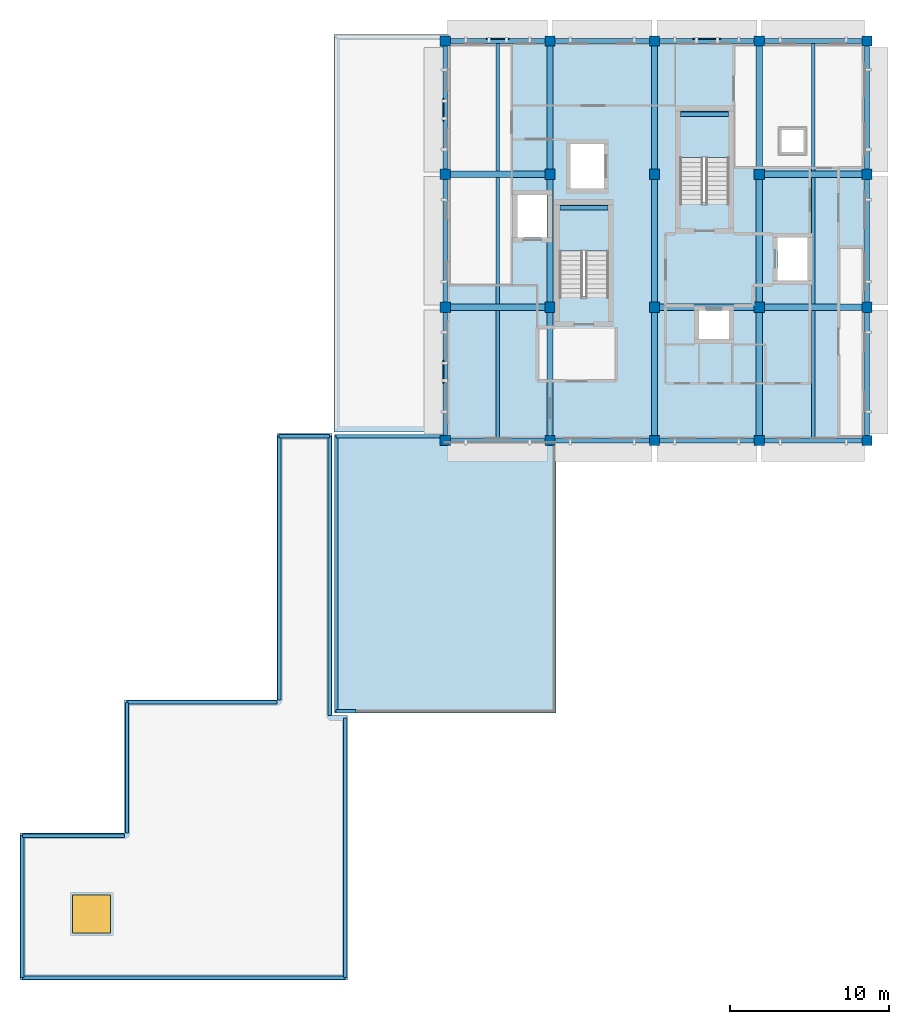
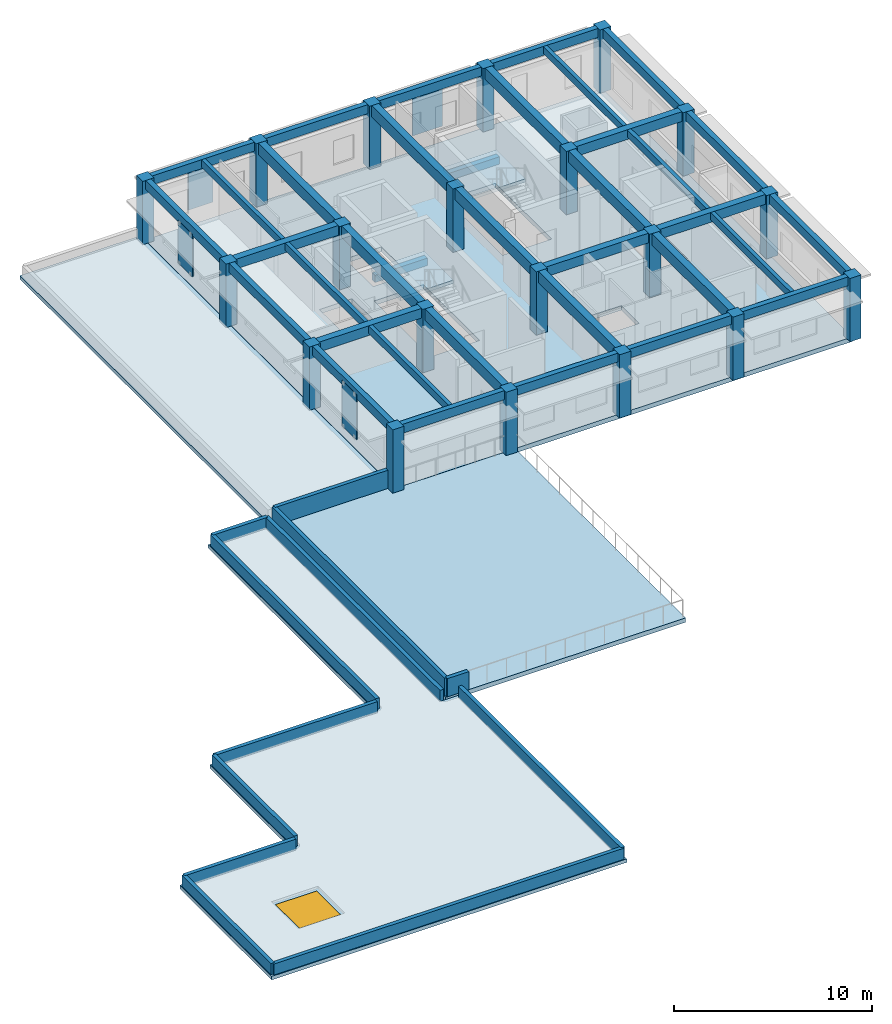
# One storey, part 1 of 7: 36 beams, 20 columns, 12 walls, 6 slabs, 4 plates, 1 window, 1 opening, 2 elements without a shape of their own.
"""IFC4 building model written with IfcOpenShell, lengths in metres."""

import ifcopenshell
import ifcopenshell.guid

model = None  # the IFC model being written
_history = None  # IfcOwnerHistory: only IFC2X3 demands one
_inside = {}  # id of a spatial element -> (the spatial element, [elements in it])
_under = {}  # id of a project, library or spatial element -> (it, [spatial elements below it])
_declared = {}  # id of a project -> (the project, [libraries it declares])
_typed = {}  # id of a type object -> (the type object, [elements of that type])
_made_of = {}  # id of a material, layer set ... -> (it, [elements and type objects made of it])


def new_model(schema):
    """Start an empty IFC model of exactly this schema.

    Asked for "IFC4X3", IfcOpenShell would pick the latest addendum, in which some entities
    have other attributes; the version numbers below select the first issue.
    IFC2X3 requires an IfcOwnerHistory on every rooted entity: one is made here for all.
    """
    global model, _history
    if schema == "IFC4X3":
        model = ifcopenshell.file(schema_version=(4, 3, 0, 0))
    else:
        model = ifcopenshell.file(schema=schema)
    _inside.clear()
    _under.clear()
    _declared.clear()
    _typed.clear()
    _made_of.clear()
    _history = None
    if model.schema == "IFC2X3":
        org = make("IfcOrganization", Name="unknown")
        user = make(
            "IfcPersonAndOrganization",
            ThePerson=make("IfcPerson", FamilyName="unknown"),
            TheOrganization=org,
        )
        app = make(
            "IfcApplication",
            ApplicationDeveloper=org,
            Version="unknown",
            ApplicationFullName="unknown",
            ApplicationIdentifier="unknown",
        )
        _history = make(
            "IfcOwnerHistory",
            OwningUser=user,
            OwningApplication=app,
            ChangeAction="ADDED",
            CreationDate=0,
        )
    return model


def make(cls, **values):
    """One entity of the class cls with the attributes given. An attribute that is None is left unset."""
    return model.create_entity(
        cls, **{name: value for name, value in values.items() if value is not None}
    )


def rooted(cls, **values):
    """An entity with a GlobalId (a new one), such as an element, a storey or a relation."""
    return make(cls, GlobalId=ifcopenshell.guid.new(), OwnerHistory=_history, **values)


def si_unit(unit_type, name, prefix=None):
    """IfcSIUnit, for example si_unit("LENGTHUNIT", "METRE", prefix="MILLI")."""
    return make("IfcSIUnit", UnitType=unit_type, Prefix=prefix, Name=name)


def assignment(units):
    """IfcUnitAssignment: the units of a project."""
    return None if units is None else make("IfcUnitAssignment", Units=units)


def point(xyz):
    """IfcCartesianPoint."""
    return None if xyz is None else make("IfcCartesianPoint", Coordinates=xyz)


def direction(xyz):
    """IfcDirection."""
    return None if xyz is None else make("IfcDirection", DirectionRatios=xyz)


def frame(location, z_axis=None, x_axis=None):
    """IfcAxis2Placement3D, a coordinate frame: its origin and axes. An axis left out is left unset."""
    return make(
        "IfcAxis2Placement3D",
        Location=point(location),
        Axis=direction(z_axis),
        RefDirection=direction(x_axis),
    )


def frame_2d(location, x_axis=None):
    """IfcAxis2Placement2D, a coordinate frame in the plane: its origin and x axis."""
    return make(
        "IfcAxis2Placement2D", Location=point(location), RefDirection=direction(x_axis)
    )


def origin():
    """The frame at (0, 0, 0) with its axes left unset."""
    return frame((0.0, 0.0, 0.0))


def origin_2d():
    """The frame at (0, 0) in the plane with its x axis left unset."""
    return frame_2d((0.0, 0.0))


def place(relative_to, where):
    """IfcLocalPlacement: puts the frame where relative to a parent placement (None: the world)."""
    return make(
        "IfcLocalPlacement", PlacementRelTo=relative_to, RelativePlacement=where
    )


def context(
    kind, dimensions, precision=None, world=None, true_north=None, identifier=None
):
    """IfcGeometricRepresentationContext, for example the 3D "Model" context."""
    return make(
        "IfcGeometricRepresentationContext",
        ContextIdentifier=identifier,
        ContextType=kind,
        CoordinateSpaceDimension=dimensions,
        Precision=precision,
        WorldCoordinateSystem=world,
        TrueNorth=true_north,
    )


def subcontext(parent, identifier, kind, view, scale=None):
    """IfcGeometricRepresentationSubContext, for example "Body" below "Model"."""
    return make(
        "IfcGeometricRepresentationSubContext",
        ContextIdentifier=identifier,
        ContextType=kind,
        ParentContext=parent,
        TargetScale=scale,
        TargetView=view,
    )


def project(units=None, contexts=None):
    """IfcProject with its units and contexts."""
    return rooted(
        "IfcProject",
        Name="project",
        RepresentationContexts=contexts,
        UnitsInContext=assignment(units),
    )


def spatial(cls, under=None, at=None, **own):
    """A site, building, storey or space (cls), placed at a placement, below another one or the project."""
    s = rooted(cls, ObjectPlacement=at, **own)
    if under is not None:
        _under.setdefault(under.id(), (under, []))[1].append(s)
    return s


def polyline(points):
    """IfcPolyline through the points."""
    return make("IfcPolyline", Points=[point(p) for p in points])


def profile(cls, at=None, kind="AREA", **sizes):
    """A parametric profile (cls). Its sizes go by their IFC names, for example OverallWidth=200.0."""
    return make(cls, ProfileType=kind, Position=at, **sizes)


def rectangle(**sizes):
    """IfcRectangleProfileDef."""
    return profile("IfcRectangleProfileDef", **sizes)


def outline(outer, holes=None, kind="AREA"):
    """IfcArbitraryClosedProfileDef: a profile drawn as a closed curve; with holes, ...WithVoids."""
    if holes is None:
        return make("IfcArbitraryClosedProfileDef", ProfileType=kind, OuterCurve=outer)
    return make(
        "IfcArbitraryProfileDefWithVoids",
        ProfileType=kind,
        OuterCurve=outer,
        InnerCurves=holes,
    )


def extrude(swept, where, along, depth):
    """IfcExtrudedAreaSolid: the profile swept, set in the frame where, extruded along a direction by depth."""
    return make(
        "IfcExtrudedAreaSolid",
        SweptArea=swept,
        Position=where,
        ExtrudedDirection=direction(along),
        Depth=depth,
    )


def shape(context_of_items, identifier, shape_type, items):
    """IfcShapeRepresentation: the items that make up one representation, for example the "Body"."""
    return make(
        "IfcShapeRepresentation",
        ContextOfItems=context_of_items,
        RepresentationIdentifier=identifier,
        RepresentationType=shape_type,
        Items=items,
    )


def material(Name=None, Category=None):
    """IfcMaterial."""
    return make("IfcMaterial", Name=Name, Category=Category)


def layer(
    of_material, thickness, ventilated=None, Name=None, Category=None, Priority=None
):
    """IfcMaterialLayer: one layer of a wall or slab, of a material (None: an air gap)."""
    return make(
        "IfcMaterialLayer",
        Material=of_material,
        LayerThickness=thickness,
        IsVentilated=ventilated,
        Name=Name,
        Category=Category,
        Priority=Priority,
    )


def layer_set(layers, Name=None):
    """IfcMaterialLayerSet."""
    return make("IfcMaterialLayerSet", MaterialLayers=layers, LayerSetName=Name)


def material_profile(
    of_material, cross_section, Name=None, Category=None, Priority=None
):
    """IfcMaterialProfile: a cross section and its material."""
    return make(
        "IfcMaterialProfile",
        Name=Name,
        Material=of_material,
        Profile=cross_section,
        Priority=Priority,
        Category=Category,
    )


def profile_set(profiles, Name=None, composite=None):
    """IfcMaterialProfileSet."""
    return make(
        "IfcMaterialProfileSet",
        Name=Name,
        MaterialProfiles=profiles,
        CompositeProfile=composite,
    )


def made_of(thing, what):
    """Note that an element or type object is made of a material, layer set ...; save() writes the relation."""
    if what is not None:
        _made_of.setdefault(what.id(), (what, []))[1].append(thing)
    return thing


def type_object(cls, material=None, **own):
    """A type object (cls), such as IfcWallType, which elements share."""
    return made_of(rooted(cls, **own), material)


def element(
    cls,
    number,
    at=None,
    inside=None,
    cuts=None,
    type_object=None,
    material=None,
    context=None,
    identifier="Body",
    shape_type=None,
    held_by="IfcProductDefinitionShape",
    body=None,
    shapes=None,
    **own,
):
    """One element of the class cls, such as IfcWall. Its Tag is "e" and its number.

    at: its placement. inside: the storey or other place that contains it. cuts: it is an
    opening in that element (IfcRelVoidsElement). A single representation is given by context,
    identifier, shape_type and body (its items); several are given by shapes. held_by: the class
    of the entity that holds the representations. save() writes the other relations.
    """
    e = rooted(cls, Tag="e%d" % number, ObjectPlacement=at, **own)
    if body is not None:
        shapes = [shape(context, identifier, shape_type, body)]
    if shapes is not None:
        e.Representation = make(held_by, Representations=shapes)
    if inside is not None:
        _inside.setdefault(inside.id(), (inside, []))[1].append(e)
    if cuts is not None:
        rooted(
            "IfcRelVoidsElement", RelatingBuildingElement=cuts, RelatedOpeningElement=e
        )
    if type_object is not None:
        _typed.setdefault(type_object.id(), (type_object, []))[1].append(e)
    return made_of(e, material)


def fill(opening, filler):
    """IfcRelFillsElement: the door or window that sits in an opening."""
    return rooted(
        "IfcRelFillsElement",
        RelatingOpeningElement=opening,
        RelatedBuildingElement=filler,
    )


def aggregate(whole, parts):
    """IfcRelAggregates: a whole, such as a stair, and the parts it consists of."""
    return rooted("IfcRelAggregates", RelatingObject=whole, RelatedObjects=parts)


def save(model, path):
    """Write the relations noted so far, then the file.

    IfcRelAggregates (storeys below a building ...), IfcRelContainedInSpatialStructure (elements
    in a storey), IfcRelDefinesByType, IfcRelAssociatesMaterial and IfcRelDeclares: one each for
    every whole, place, type object, material and project.
    """
    for whole, parts in _under.values():
        aggregate(whole, parts)
    for where, things in _inside.values():
        rooted(
            "IfcRelContainedInSpatialStructure",
            RelatedElements=things,
            RelatingStructure=where,
        )
    for kind, things in _typed.values():
        rooted("IfcRelDefinesByType", RelatedObjects=things, RelatingType=kind)
    for what, things in _made_of.values():
        rooted("IfcRelAssociatesMaterial", RelatedObjects=things, RelatingMaterial=what)
    for by, libraries in _declared.values():
        rooted("IfcRelDeclares", RelatingContext=by, RelatedDefinitions=libraries)
    model.write(path)


model = new_model("IFC4")

# Units and contexts
model_context = context("Model", 3, precision=1e-05, world=origin(), true_north=direction((0.0, 1.0)))
body_context = subcontext(model_context, "Body", "Model", "MODEL_VIEW")
ifc_project = project(units=[si_unit("LENGTHUNIT", "METRE"), si_unit("AREAUNIT", "SQUARE_METRE"), si_unit("VOLUMEUNIT", "CUBIC_METRE"), si_unit("PLANEANGLEUNIT", "RADIAN"), si_unit("MASSUNIT", "GRAM", prefix="KILO")], contexts=[model_context])

# Site, building, storey
site_placement = place(None, origin())
site = spatial("IfcSite", under=ifc_project, at=site_placement, CompositionType="ELEMENT")
building_placement = place(site_placement, origin())
building = spatial("IfcBuilding", under=site, at=building_placement, Name="Kolvaren Faculty of Natural Sciences", CompositionType="ELEMENT")
storey_placement = place(building_placement, frame((0.0, 0.0, 32.699951171875)))
storey = spatial("IfcBuildingStorey", under=building, at=storey_placement, Name="L07", CompositionType="ELEMENT", Elevation=32.699951171875)

# Columns
ifc_material_1 = material(Name="Concrete C35/45", Category="concrete")
ifc_material_profile_1 = material_profile(ifc_material_1, rectangle(XDim=0.64990234375, YDim=0.64990234375, at=origin_2d()), Name="RC COL 650x650")
ifc_profile_set_1 = profile_set([ifc_material_profile_1], Name="Concrete C35/45")
column_type = type_object("IfcColumnType", Name="WingColumn_650x650", PredefinedType="COLUMN", material=ifc_profile_set_1)
for number, where, z_axis, x_axis, name in (
    (1, (145.39990234375, 59.0, 0.0), (0.0, 0.0, 1.0), (1.0, 0.0, 0.0), "L07 column WC-65 at 23/H"),
    (2, (145.39990234375, 67.39990234375, 0.0), (0.0, 0.0, 1.0), (1.0, 0.0, 0.0), "L07 column WC-65 at 23/J"),
    (3, (145.39990234375, 75.800048828125, 0.0), (0.0, 0.0, 1.0), (1.0, 0.0, 0.0), "L07 column WC-65 at 23/K"),
    (4, (145.39990234375, 84.199951171875, 0.0), (0.0, 0.0, 1.0), (1.0, 0.0, 0.0), "L07 column WC-65 at 23/L"),
    (5, (152.0, 59.0, 0.0), (0.0, 0.0, 1.0), (1.0, 0.0, 0.0), "L07 column WC-65 at 24/H"),
    (6, (152.0, 67.39990234375, 0.0), (0.0, 0.0, 1.0), (1.0, 0.0, 0.0), "L07 column WC-65 at 24/J"),
    (7, (152.0, 75.800048828125, 0.0), (0.0, 0.0, 1.0), (1.0, 0.0, 0.0), "L07 column WC-65 at 24/K"),
    (8, (152.0, 84.199951171875, 0.0), (0.0, 0.0, 1.0), (1.0, 0.0, 0.0), "L07 column WC-65 at 24/L"),
    (9, (158.60009765625, 59.0, 0.0), (0.0, 0.0, 1.0), (1.0, 0.0, 0.0), "L07 column WC-65 at 25/H"),
    (10, (158.60009765625, 67.39990234375, 0.0), (0.0, 0.0, 1.0), (1.0, 0.0, 0.0), "L07 column WC-65 at 25/J"),
    (11, (158.60009765625, 75.800048828125, 0.0), (0.0, 0.0, 1.0), (1.0, 0.0, 0.0), "L07 column WC-65 at 25/K"),
    (12, (158.60009765625, 84.199951171875, 0.0), (0.0, 0.0, 1.0), (1.0, 0.0, 0.0), "L07 column WC-65 at 25/L"),
    (13, (165.199951171875, 59.0, 0.0), (0.0, 0.0, 1.0), (1.0, 0.0, 0.0), "L07 column WC-65 at 26/H"),
    (14, (165.199951171875, 67.39990234375, 0.0), (0.0, 0.0, 1.0), (1.0, 0.0, 0.0), "L07 column WC-65 at 26/J"),
    (15, (165.199951171875, 75.800048828125, 0.0), (0.0, 0.0, 1.0), (1.0, 0.0, 0.0), "L07 column WC-65 at 26/K"),
    (16, (165.199951171875, 84.199951171875, 0.0), (0.0, 0.0, 1.0), (1.0, 0.0, 0.0), "L07 column WC-65 at 26/L"),
    (17, (172.0, 59.0, 0.0), (0.0, 0.0, 1.0), (1.0, 0.0, 0.0), "L07 column WC-65 at 27/H"),
    (18, (172.0, 67.39990234375, 0.0), (0.0, 0.0, 1.0), (1.0, 0.0, 0.0), "L07 column WC-65 at 27/J"),
    (19, (172.0, 75.800048828125, 0.0), (0.0, 0.0, 1.0), (1.0, 0.0, 0.0), "L07 column WC-65 at 27/K"),
    (20, (172.0, 84.199951171875, 0.0), (0.0, 0.0, 1.0), (1.0, 0.0, 0.0), "L07 column WC-65 at 27/L"),
):
    element("IfcColumn", number, at=place(storey_placement, frame(where, z_axis=z_axis, x_axis=x_axis)), inside=storey, type_object=column_type, Name=name, PredefinedType="COLUMN", context=body_context, shape_type="SweptSolid", body=[
        extrude(rectangle(XDim=0.64990234375, YDim=0.64990234375, at=origin_2d()), origin(), (0.0, 0.0, 1.0), 3.900146484375),
    ])

# Beams
ifc_material_2 = material(Name="Concrete C40/50", Category="concrete")
ifc_material_profile_2 = material_profile(ifc_material_2, rectangle(XDim=0.300048828125, YDim=0.449951171875, at=origin_2d()), Name="RC LNT 300x450")
ifc_profile_set_2 = profile_set([ifc_material_profile_2], Name="Concrete C40/50")
beam_type_1 = type_object("IfcBeamType", Name="CoreCouplingLintel_300x450", PredefinedType="LINTEL", material=ifc_profile_set_2)
beam_1_placement = place(storey_placement, frame((160.22509765625, 79.580078125, 1.525146484375), z_axis=(1.0, 0.0, 0.0), x_axis=(0.0, 1.0, 0.0)))
element("IfcBeam", 21, at=beam_1_placement, inside=storey, type_object=beam_type_1, Name="L07 ST-1 half-landing support lintel", PredefinedType="LINTEL", context=body_context, shape_type="SweptSolid", body=[
    extrude(rectangle(XDim=0.300048828125, YDim=0.449951171875, at=origin_2d()), origin(), (0.0, 0.0, 1.0), 3.0498046875),
])
beam_2_placement = place(storey_placement, frame((152.625, 73.679931640625, 1.525146484375), z_axis=(1.0, 0.0, 0.0), x_axis=(0.0, 1.0, 0.0)))
element("IfcBeam", 22, at=beam_2_placement, inside=storey, type_object=beam_type_1, Name="L07 ST-2 half-landing support lintel", PredefinedType="LINTEL", context=body_context, shape_type="SweptSolid", body=[
    extrude(rectangle(XDim=0.300048828125, YDim=0.449951171875, at=origin_2d()), origin(), (0.0, 0.0, 1.0), 3.050048828125),
])
ifc_material_profile_3 = material_profile(ifc_material_1, rectangle(XDim=0.39990234375, YDim=0.60009765625, at=origin_2d()), Name="RC BM 400x600")
ifc_profile_set_3 = profile_set([ifc_material_profile_3], Name="Concrete C35/45")
beam_type_2 = type_object("IfcBeamType", Name="GridBeam_400x600", PredefinedType="BEAM", material=ifc_profile_set_3)
for number, where, z_axis, x_axis, name in (
    (23, (145.72509765625, 67.39990234375, 3.60009765625), (1.0, 0.0, 0.0), (0.0, 1.0, 0.0), "L07 beam BM-60 on grid J"),
    (24, (158.925048828125, 67.39990234375, 3.60009765625), (1.0, 0.0, 0.0), (0.0, 1.0, 0.0), "L07 beam BM-60 on grid J"),
):
    element("IfcBeam", number, at=place(storey_placement, frame(where, z_axis=z_axis, x_axis=x_axis)), inside=storey, type_object=beam_type_2, Name=name, PredefinedType="BEAM", context=body_context, shape_type="SweptSolid", body=[
        extrude(rectangle(XDim=0.39990234375, YDim=0.60009765625, at=origin_2d()), origin(), (0.0, 0.0, 1.0), 5.949951171875),
    ])
beam_3_placement = place(storey_placement, frame((165.52490234375, 67.39990234375, 3.60009765625), z_axis=(1.0, 0.0, 0.0), x_axis=(0.0, 1.0, 0.0)))
element("IfcBeam", 25, at=beam_3_placement, inside=storey, type_object=beam_type_2, Name="L07 beam BM-60 on grid J", PredefinedType="BEAM", context=body_context, shape_type="SweptSolid", body=[
    extrude(rectangle(XDim=0.39990234375, YDim=0.60009765625, at=origin_2d()), origin(), (0.0, 0.0, 1.0), 6.150146484375),
])
beam_4_placement = place(storey_placement, frame((145.72509765625, 75.800048828125, 3.60009765625), z_axis=(1.0, 0.0, 0.0), x_axis=(0.0, 1.0, 0.0)))
element("IfcBeam", 26, at=beam_4_placement, inside=storey, type_object=beam_type_2, Name="L07 beam BM-60 on grid K", PredefinedType="BEAM", context=body_context, shape_type="SweptSolid", body=[
    extrude(rectangle(XDim=0.39990234375, YDim=0.60009765625, at=origin_2d()), origin(), (0.0, 0.0, 1.0), 5.949951171875),
])
beam_5_placement = place(storey_placement, frame((165.52490234375, 75.800048828125, 3.60009765625), z_axis=(1.0, 0.0, 0.0), x_axis=(0.0, 1.0, 0.0)))
element("IfcBeam", 27, at=beam_5_placement, inside=storey, type_object=beam_type_2, Name="L07 beam BM-60 on grid K", PredefinedType="BEAM", context=body_context, shape_type="SweptSolid", body=[
    extrude(rectangle(XDim=0.39990234375, YDim=0.60009765625, at=origin_2d()), origin(), (0.0, 0.0, 1.0), 6.150146484375),
])
ifc_material_profile_4 = material_profile(ifc_material_1, rectangle(XDim=0.219970703125, YDim=0.449951171875, at=origin_2d()), Name="RC JST 220x450")
ifc_profile_set_4 = profile_set([ifc_material_profile_4], Name="Concrete C35/45")
beam_type_3 = type_object("IfcBeamType", Name="OfficeRibJoist_220x450", PredefinedType="JOIST", material=ifc_profile_set_4)
beam_6_placement = place(storey_placement, frame((148.699951171875, 59.14990234375, 3.675048828125), z_axis=(0.0, 1.0, 0.0), x_axis=(-1.0, 0.0, 0.0)))
element("IfcBeam", 28, at=beam_6_placement, inside=storey, type_object=beam_type_3, Name="L07 ribbed laboratory slab joist JS-45", PredefinedType="JOIST", context=body_context, shape_type="SweptSolid", body=[
    extrude(rectangle(XDim=0.219970703125, YDim=0.449951171875, at=origin_2d()), origin(), (0.0, 0.0, 1.0), 8.050048828125),
])
beam_7_placement = place(storey_placement, frame((148.699951171875, 67.60009765625, 3.675048828125), z_axis=(0.0, 1.0, 0.0), x_axis=(-1.0, 0.0, 0.0)))
element("IfcBeam", 29, at=beam_7_placement, inside=storey, type_object=beam_type_3, Name="L07 ribbed laboratory slab joist JS-45", PredefinedType="JOIST", context=body_context, shape_type="SweptSolid", body=[
    extrude(rectangle(XDim=0.219970703125, YDim=0.449951171875, at=origin_2d()), origin(), (0.0, 0.0, 1.0), 8.0),
])
for number, where, z_axis, x_axis, name in (
    (30, (148.699951171875, 76.0, 3.675048828125), (0.0, 1.0, 0.0), (-1.0, 0.0, 0.0), "L07 ribbed laboratory slab joist JS-45"),
    (31, (168.60009765625, 59.14990234375, 3.675048828125), (0.0, 1.0, 0.0), (-1.0, 0.0, 0.0), "L07 ribbed laboratory slab joist JS-45"),
):
    element("IfcBeam", number, at=place(storey_placement, frame(where, z_axis=z_axis, x_axis=x_axis)), inside=storey, type_object=beam_type_3, Name=name, PredefinedType="JOIST", context=body_context, shape_type="SweptSolid", body=[
        extrude(rectangle(XDim=0.219970703125, YDim=0.449951171875, at=origin_2d()), origin(), (0.0, 0.0, 1.0), 8.050048828125),
    ])
beam_8_placement = place(storey_placement, frame((168.60009765625, 67.60009765625, 3.675048828125), z_axis=(0.0, 1.0, 0.0), x_axis=(-1.0, 0.0, 0.0)))
element("IfcBeam", 32, at=beam_8_placement, inside=storey, type_object=beam_type_3, Name="L07 ribbed laboratory slab joist JS-45", PredefinedType="JOIST", context=body_context, shape_type="SweptSolid", body=[
    extrude(rectangle(XDim=0.219970703125, YDim=0.449951171875, at=origin_2d()), origin(), (0.0, 0.0, 1.0), 8.0),
])
beam_9_placement = place(storey_placement, frame((168.60009765625, 76.0, 3.675048828125), z_axis=(0.0, 1.0, 0.0), x_axis=(-1.0, 0.0, 0.0)))
element("IfcBeam", 33, at=beam_9_placement, inside=storey, type_object=beam_type_3, Name="L07 ribbed laboratory slab joist JS-45", PredefinedType="JOIST", context=body_context, shape_type="SweptSolid", body=[
    extrude(rectangle(XDim=0.219970703125, YDim=0.449951171875, at=origin_2d()), origin(), (0.0, 0.0, 1.0), 8.050048828125),
])
ifc_material_profile_5 = material_profile(ifc_material_1, rectangle(XDim=0.300048828125, YDim=0.550048828125, at=origin_2d()), Name="RC SP 300x550")
ifc_profile_set_5 = profile_set([ifc_material_profile_5], Name="Concrete C35/45")
beam_type_4 = type_object("IfcBeamType", Name="PerimeterSpandrel_300x550", PredefinedType="SPANDREL", material=ifc_profile_set_5)
for number, where, z_axis, x_axis, name in (
    (34, (145.72509765625, 59.0, 3.625), (1.0, 0.0, 0.0), (0.0, 1.0, 0.0), "L07 spandrel SP-55 on grid H"),
    (35, (152.324951171875, 59.0, 3.625), (1.0, 0.0, 0.0), (0.0, 1.0, 0.0), "L07 spandrel SP-55 on grid H"),
    (36, (158.925048828125, 59.0, 3.625), (1.0, 0.0, 0.0), (0.0, 1.0, 0.0), "L07 spandrel SP-55 on grid H"),
):
    element("IfcBeam", number, at=place(storey_placement, frame(where, z_axis=z_axis, x_axis=x_axis)), inside=storey, type_object=beam_type_4, Name=name, PredefinedType="SPANDREL", context=body_context, shape_type="SweptSolid", body=[
        extrude(rectangle(XDim=0.300048828125, YDim=0.550048828125, at=origin_2d()), origin(), (0.0, 0.0, 1.0), 5.949951171875),
    ])
beam_10_placement = place(storey_placement, frame((165.52490234375, 59.0, 3.625), z_axis=(1.0, 0.0, 0.0), x_axis=(0.0, 1.0, 0.0)))
element("IfcBeam", 37, at=beam_10_placement, inside=storey, type_object=beam_type_4, Name="L07 spandrel SP-55 on grid H", PredefinedType="SPANDREL", context=body_context, shape_type="SweptSolid", body=[
    extrude(rectangle(XDim=0.300048828125, YDim=0.550048828125, at=origin_2d()), origin(), (0.0, 0.0, 1.0), 6.150146484375),
])
for number, where, z_axis, x_axis, name in (
    (38, (145.72509765625, 84.199951171875, 3.625), (1.0, 0.0, 0.0), (0.0, 1.0, 0.0), "L07 spandrel SP-55 on grid L"),
    (39, (152.324951171875, 84.199951171875, 3.625), (1.0, 0.0, 0.0), (0.0, 1.0, 0.0), "L07 spandrel SP-55 on grid L"),
    (40, (158.925048828125, 84.199951171875, 3.625), (1.0, 0.0, 0.0), (0.0, 1.0, 0.0), "L07 spandrel SP-55 on grid L"),
):
    element("IfcBeam", number, at=place(storey_placement, frame(where, z_axis=z_axis, x_axis=x_axis)), inside=storey, type_object=beam_type_4, Name=name, PredefinedType="SPANDREL", context=body_context, shape_type="SweptSolid", body=[
        extrude(rectangle(XDim=0.300048828125, YDim=0.550048828125, at=origin_2d()), origin(), (0.0, 0.0, 1.0), 5.949951171875),
    ])
beam_11_placement = place(storey_placement, frame((165.52490234375, 84.199951171875, 3.625), z_axis=(1.0, 0.0, 0.0), x_axis=(0.0, 1.0, 0.0)))
element("IfcBeam", 41, at=beam_11_placement, inside=storey, type_object=beam_type_4, Name="L07 spandrel SP-55 on grid L", PredefinedType="SPANDREL", context=body_context, shape_type="SweptSolid", body=[
    extrude(rectangle(XDim=0.300048828125, YDim=0.550048828125, at=origin_2d()), origin(), (0.0, 0.0, 1.0), 6.150146484375),
])
for number, where, z_axis, x_axis, name in (
    (42, (145.39990234375, 59.324951171875, 3.625), (0.0, 1.0, 0.0), (-1.0, 0.0, 0.0), "L07 girder SP-55 on grid 23"),
    (43, (145.39990234375, 67.72509765625, 3.625), (0.0, 1.0, 0.0), (-1.0, 0.0, 0.0), "L07 girder SP-55 on grid 23"),
    (44, (145.39990234375, 76.125, 3.625), (0.0, 1.0, 0.0), (-1.0, 0.0, 0.0), "L07 girder SP-55 on grid 23"),
    (45, (172.0, 59.324951171875, 3.625), (0.0, 1.0, 0.0), (-1.0, 0.0, 0.0), "L07 girder SP-55 on grid 27"),
    (46, (172.0, 67.72509765625, 3.625), (0.0, 1.0, 0.0), (-1.0, 0.0, 0.0), "L07 girder SP-55 on grid 27"),
    (47, (172.0, 76.125, 3.625), (0.0, 1.0, 0.0), (-1.0, 0.0, 0.0), "L07 girder SP-55 on grid 27"),
):
    element("IfcBeam", number, at=place(storey_placement, frame(where, z_axis=z_axis, x_axis=x_axis)), inside=storey, type_object=beam_type_4, Name=name, PredefinedType="SPANDREL", context=body_context, shape_type="SweptSolid", body=[
        extrude(rectangle(XDim=0.300048828125, YDim=0.550048828125, at=origin_2d()), origin(), (0.0, 0.0, 1.0), 7.75),
    ])
ifc_material_profile_6 = material_profile(ifc_material_1, rectangle(XDim=0.39990234375, YDim=0.699951171875, at=origin_2d()), Name="RC BM 400x700")
ifc_profile_set_6 = profile_set([ifc_material_profile_6], Name="Concrete C35/45")
beam_type_5 = type_object("IfcBeamType", Name="UpperGirder_400x700", PredefinedType="BEAM", material=ifc_profile_set_6)
for number, where, z_axis, x_axis, name in (
    (48, (152.0, 59.324951171875, 3.550048828125), (0.0, 1.0, 0.0), (-1.0, 0.0, 0.0), "L07 girder BG-70 on grid 24"),
    (49, (152.0, 67.72509765625, 3.550048828125), (0.0, 1.0, 0.0), (-1.0, 0.0, 0.0), "L07 girder BG-70 on grid 24"),
    (50, (152.0, 76.125, 3.550048828125), (0.0, 1.0, 0.0), (-1.0, 0.0, 0.0), "L07 girder BG-70 on grid 24"),
    (51, (158.60009765625, 59.324951171875, 3.550048828125), (0.0, 1.0, 0.0), (-1.0, 0.0, 0.0), "L07 girder BG-70 on grid 25"),
    (52, (158.60009765625, 67.72509765625, 3.550048828125), (0.0, 1.0, 0.0), (-1.0, 0.0, 0.0), "L07 girder BG-70 on grid 25"),
    (53, (158.60009765625, 76.125, 3.550048828125), (0.0, 1.0, 0.0), (-1.0, 0.0, 0.0), "L07 girder BG-70 on grid 25"),
    (54, (165.199951171875, 59.324951171875, 3.550048828125), (0.0, 1.0, 0.0), (-1.0, 0.0, 0.0), "L07 girder BG-70 on grid 26"),
    (55, (165.199951171875, 67.72509765625, 3.550048828125), (0.0, 1.0, 0.0), (-1.0, 0.0, 0.0), "L07 girder BG-70 on grid 26"),
    (56, (165.199951171875, 76.125, 3.550048828125), (0.0, 1.0, 0.0), (-1.0, 0.0, 0.0), "L07 girder BG-70 on grid 26"),
):
    element("IfcBeam", number, at=place(storey_placement, frame(where, z_axis=z_axis, x_axis=x_axis)), inside=storey, type_object=beam_type_5, Name=name, PredefinedType="BEAM", context=body_context, shape_type="SweptSolid", body=[
        extrude(rectangle(XDim=0.39990234375, YDim=0.699951171875, at=origin_2d()), origin(), (0.0, 0.0, 1.0), 7.75),
    ])

# Plates
ifc_material_3 = material(Name="Extruded architectural terracotta screen", Category="masonry")
ifc_layer_1 = layer(ifc_material_3, 0.06494140625)
ifc_layer_set_1 = layer_set([ifc_layer_1], Name="Extruded architectural terracotta screen")
plate_type_1 = type_object("IfcPlateType", Name="EnvelopePlate_JL01", PredefinedType="USERDEFINED", material=ifc_layer_set_1)
for number, where, z_axis, x_axis, name in (
    (57, (148.699951171875, 84.340087890625, 0.85009765625), (0.0, 0.0, 1.0), (1.0, 0.0, 0.0), "L07 perforated terracotta jali sun screen JL-01"),
    (58, (145.260009765625, 79.8701171875, 0.85009765625), (0.0, 0.0, 1.0), (0.0, 1.0, 0.0), "L07 perforated terracotta jali sun screen JL-01"),
):
    element("IfcPlate", number, at=place(storey_placement, frame(where, z_axis=z_axis, x_axis=x_axis)), inside=storey, type_object=plate_type_1, Name=name, ObjectType="SCREEN", PredefinedType="USERDEFINED", context=body_context, shape_type="SweptSolid", body=[
        extrude(rectangle(XDim=1.449951171875, YDim=0.06494140625, at=origin_2d()), origin(), (0.0, 0.0, 1.0), 2.60009765625),
    ])
ifc_layer_2 = layer(ifc_material_3, 0.06494140625)
ifc_layer_set_2 = layer_set([ifc_layer_2], Name="Extruded architectural terracotta screen")
plate_type_2 = type_object("IfcPlateType", Name="EnvelopePlate_JL02", PredefinedType="USERDEFINED", material=ifc_layer_set_2)
plate_1_placement = place(storey_placement, frame((161.89990234375, 84.340087890625, 0.85009765625), z_axis=(0.0, 0.0, 1.0), x_axis=(1.0, 0.0, 0.0)))
element("IfcPlate", 59, at=plate_1_placement, inside=storey, type_object=plate_type_2, Name="L07 perforated terracotta jali sun screen JL-02", ObjectType="SCREEN", PredefinedType="USERDEFINED", context=body_context, shape_type="SweptSolid", body=[
    extrude(rectangle(XDim=1.75, YDim=0.06494140625, at=origin_2d()), origin(), (0.0, 0.0, 1.0), 2.60009765625),
])
ifc_layer_3 = layer(ifc_material_3, 0.06494140625)
ifc_layer_set_3 = layer_set([ifc_layer_3], Name="Extruded architectural terracotta screen")
plate_type_3 = type_object("IfcPlateType", Name="EnvelopePlate_JL03", PredefinedType="USERDEFINED", material=ifc_layer_set_3)
plate_2_placement = place(storey_placement, frame((145.260009765625, 63.330078125, 0.85009765625), z_axis=(0.0, 0.0, 1.0), x_axis=(0.0, 1.0, 0.0)))
element("IfcPlate", 60, at=plate_2_placement, inside=storey, type_object=plate_type_3, Name="L07 perforated terracotta jali sun screen JL-03", ObjectType="SCREEN", PredefinedType="USERDEFINED", context=body_context, shape_type="SweptSolid", body=[
    extrude(rectangle(XDim=1.449951171875, YDim=0.06494140625, at=origin_2d()), origin(), (0.0, 0.0, 1.0), 2.784912109375),
])

# Slab, opening, window
ifc_layer_4 = layer(ifc_material_1, 0.219970703125)
ifc_layer_set_4 = layer_set([ifc_layer_4], Name="Concrete C35/45")
slab_type_1 = type_object("IfcSlabType", Name="FlatWingRoofSlab_220", PredefinedType="ROOF", material=ifc_layer_set_4)
slab_1_placement = place(storey_placement, frame((0.0, 0.0, -0.219970703125)))
slab_1 = element("IfcSlab", 61, at=slab_1_placement, inside=storey, type_object=slab_type_1, Name="L07 flat reinforced concrete roof slab 1", PredefinedType="ROOF", context=body_context, shape_type="SweptSolid", body=[
    extrude(outline(polyline([(125.169921875, 42.6298828125), (134.77001953125, 42.6298828125), (134.77001953125, 59.429931640625), (138.25, 59.429931640625), (138.25, 41.64990234375), (139.22998046875, 41.64990234375), (139.22998046875, 24.969970703125), (118.570068359375, 24.969970703125), (118.570068359375, 34.22998046875), (125.169921875, 34.22998046875), (125.169921875, 42.6298828125)])), origin(), (0.0, 0.0, 1.0), 0.219970703125),
])
opening_placement = place(slab_1_placement, frame((123.093017578125, 29.135986328125, 0.0)))
opening = element("IfcOpeningElement", 62, at=opening_placement, cuts=slab_1, Name="Opening SK-01", PredefinedType="OPENING", context=body_context, shape_type="SweptSolid", body=[
    extrude(rectangle(XDim=2.39990234375, YDim=2.39990234375, at=origin_2d()), frame((0.0, 0.0, -0.010009765625)), (0.0, 0.0, 1.0), 0.239990234375),
])
ifc_material_4 = material(Name="Double low-E solar control insulated glazing", Category="glass")
window_type = type_object("IfcWindowType", Name="RoofSkylight_SK01_2400x2400", PartitioningType="SINGLE_PANEL", PredefinedType="SKYLIGHT", material=ifc_material_4)
window_placement = place(opening_placement, frame((0.0, 0.0, 0.169921875)))
window = element("IfcWindow", 63, at=window_placement, inside=storey, type_object=window_type, Name="SKY-L07-05", OverallHeight=2.39990234375, OverallWidth=2.39990234375, PartitioningType="SINGLE_PANEL", PredefinedType="SKYLIGHT", context=body_context, shape_type="SweptSolid", body=[
    extrude(rectangle(XDim=2.39990234375, YDim=2.39990234375, at=origin_2d()), origin(), (0.0, 0.0, 1.0), 0.050048828125),
])
fill(opening, window)

# Slabs
slab_2_placement = place(storey_placement, frame((0.0, 0.0, -0.219970703125)))
element("IfcSlab", 64, at=slab_2_placement, inside=storey, type_object=slab_type_1, Name="L07 flat reinforced concrete roof slab 2", PredefinedType="ROOF", context=body_context, shape_type="SweptSolid", body=[
    extrude(outline(polyline([(138.3701171875, 84.6298828125), (145.780029296875, 84.6298828125), (145.780029296875, 84.219970703125), (145.39990234375, 84.219970703125), (145.39794921875, 84.219970703125), (145.39599609375, 84.219482421875), (145.394287109375, 84.218994140625), (145.392333984375, 84.218505859375), (145.390625, 84.217529296875), (145.388916015625, 84.216552734375), (145.38720703125, 84.215576171875), (145.385986328125, 84.214111328125), (145.384521484375, 84.212646484375), (145.38330078125, 84.211181640625), (145.38232421875, 84.20947265625), (145.381591796875, 84.207763671875), (145.380859375, 84.205810546875), (145.38037109375, 84.203857421875), (145.380126953125, 84.201904296875), (145.3798828125, 84.199951171875), (145.3798828125, 59.550048828125), (138.3701171875, 59.550048828125), (138.3701171875, 84.6298828125)])), origin(), (0.0, 0.0, 1.0), 0.219970703125),
])
ifc_layer_5 = layer(ifc_material_1, 0.27001953125)
ifc_layer_set_5 = layer_set([ifc_layer_5], Name="Concrete C35/45")
slab_type_2 = type_object("IfcSlabType", Name="PlantedTerraceSlab_270", PredefinedType="FLOOR", material=ifc_layer_set_5)
slab_3_placement = place(storey_placement, frame((0.0, 0.0, -0.27001953125)))
element("IfcSlab", 65, at=slab_3_placement, inside=storey, type_object=slab_type_2, Name="Earth Sciences Stepped Roof Terrace", PredefinedType="FLOOR", context=body_context, shape_type="SweptSolid", body=[
    extrude(outline(polyline([(138.419921875, 41.820068359375), (138.419921875, 59.3798828125), (145.389892578125, 59.3798828125), (145.389892578125, 59.0), (145.389892578125, 58.9990234375), (145.39013671875, 58.998046875), (145.390380859375, 58.9970703125), (145.390869140625, 58.99609375), (145.39111328125, 58.995361328125), (145.3916015625, 58.994384765625), (145.392333984375, 58.99365234375), (145.392822265625, 58.992919921875), (145.393798828125, 58.9921875), (145.394287109375, 58.99169921875), (145.395263671875, 58.9912109375), (145.396240234375, 58.99072265625), (145.397216796875, 58.990478515625), (145.39794921875, 58.990234375), (145.39892578125, 58.989990234375), (145.39990234375, 58.989990234375), (152.3798828125, 58.989990234375), (152.3798828125, 41.820068359375), (138.419921875, 41.820068359375)])), origin(), (0.0, 0.0, 1.0), 0.27001953125),
])

# Stair, slab
stair_type = type_object("IfcStairType", Name="DoglegStair_H3900", PredefinedType="HALF_TURN_STAIR", material=ifc_material_1)
stair_1_placement = place(storey_placement, origin())
stair_1 = element("IfcStair", 66, at=stair_1_placement, inside=storey, type_object=stair_type, Name="L07 Protected exit stair ST-1", PredefinedType="HALF_TURN_STAIR")
ifc_layer_6 = layer(ifc_material_1, 0.199951171875)
ifc_layer_set_6 = layer_set([ifc_layer_6], Name="Concrete C35/45")
slab_type_3 = type_object("IfcSlabType", Name="StairLandingSlab_200", PredefinedType="LANDING", material=ifc_layer_set_6)
slab_4_placement = place(storey_placement, frame((0.0, 0.0, 1.75)))
slab_4 = element("IfcSlab", 67, at=slab_4_placement, type_object=slab_type_3, Name="ST-1 landing 1", PredefinedType="LANDING", context=body_context, shape_type="SweptSolid", body=[
    extrude(outline(polyline([(163.300048828125, 76.85009765625), (163.300048828125, 79.800048828125), (160.199951171875, 79.800048828125), (160.199951171875, 76.85009765625), (163.300048828125, 76.85009765625)])), origin(), (0.0, 0.0, 1.0), 0.199951171875),
])
aggregate(stair_1, [slab_4])

stair_2_placement = place(storey_placement, origin())
stair_2 = element("IfcStair", 68, at=stair_2_placement, inside=storey, type_object=stair_type, Name="L07 Protected exit stair ST-2", PredefinedType="HALF_TURN_STAIR")
slab_5_placement = place(storey_placement, frame((0.0, 0.0, 1.75)))
slab_5 = element("IfcSlab", 69, at=slab_5_placement, type_object=slab_type_3, Name="ST-2 landing 1", PredefinedType="LANDING", context=body_context, shape_type="SweptSolid", body=[
    extrude(outline(polyline([(155.699951171875, 70.949951171875), (155.699951171875, 73.89990234375), (152.60009765625, 73.89990234375), (152.60009765625, 70.949951171875), (155.699951171875, 70.949951171875)])), origin(), (0.0, 0.0, 1.0), 0.199951171875),
])
aggregate(stair_2, [slab_5])

# Slab
ifc_layer_7 = layer(ifc_material_1, 0.280029296875)
ifc_layer_set_7 = layer_set([ifc_layer_7], Name="Concrete C35/45")
slab_type_4 = type_object("IfcSlabType", Name="TowerLabSlab_280", PredefinedType="FLOOR", material=ifc_layer_set_7)
slab_6_placement = place(storey_placement, frame((0.0, 0.0, -0.280029296875)))
element("IfcSlab", 70, at=slab_6_placement, inside=storey, type_object=slab_type_4, Name="L07 V6 structural slab 1", PredefinedType="FLOOR", context=body_context, shape_type="SweptSolid", body=[
    extrude(outline(polyline([(145.39990234375, 59.0), (145.39990234375, 84.199951171875), (172.0, 84.199951171875), (172.0, 59.0), (145.39990234375, 59.0)]), holes=[polyline([(166.35009765625, 71.800048828125), (166.35009765625, 69.10009765625), (168.25, 69.10009765625), (168.25, 71.800048828125), (166.35009765625, 71.800048828125)]), polyline([(166.60009765625, 78.60009765625), (166.60009765625, 77.199951171875), (168.0, 77.199951171875), (168.0, 78.60009765625), (166.60009765625, 78.60009765625)]), polyline([(161.39990234375, 65.39990234375), (163.300048828125, 65.39990234375), (163.300048828125, 67.199951171875), (161.39990234375, 67.199951171875), (161.39990234375, 65.39990234375)]), polyline([(160.320068359375, 79.679931640625), (160.320068359375, 74.02001953125), (163.179931640625, 74.02001953125), (163.179931640625, 79.679931640625), (160.320068359375, 79.679931640625)]), polyline([(152.719970703125, 73.780029296875), (152.719970703125, 68.1201171875), (155.580078125, 68.1201171875), (155.580078125, 73.780029296875), (152.719970703125, 73.780029296875)]), polyline([(153.300048828125, 77.699951171875), (153.300048828125, 74.89990234375), (155.39990234375, 74.89990234375), (155.39990234375, 77.699951171875), (153.300048828125, 77.699951171875)]), polyline([(149.949951171875, 74.5), (149.949951171875, 71.800048828125), (151.85009765625, 71.800048828125), (151.85009765625, 74.5), (149.949951171875, 74.5)])]), origin(), (0.0, 0.0, 1.0), 0.280029296875),
])

# Walls
ifc_material_5 = material(Name="Precast concrete C35/45", Category="concrete")
ifc_layer_8 = layer(ifc_material_5, 0.219970703125)
ifc_layer_set_8 = layer_set([ifc_layer_8], Name="Precast concrete C35/45")
wall_type = type_object("IfcWallType", Name="ParapetUpstandWall_220", PredefinedType="PARAPET", material=ifc_layer_set_8)
wall_1_placement = place(storey_placement, frame((138.52001953125, 41.919921875, 0.0), z_axis=(0.0, 0.0, 1.0), x_axis=(0.0, 1.0, 0.0)))
element("IfcWall", 71, at=wall_1_placement, inside=storey, type_object=wall_type, Name="L07 terrace-to-roof guard parapet divider 4", PredefinedType="PARAPET", context=body_context, shape_type="SweptSolid", body=[
    extrude(rectangle(XDim=17.360107421875, YDim=0.219970703125, at=frame_2d((8.68017578125, 0.0))), origin(), (0.0, 0.0, 1.0), 1.1201171875),
])
wall_2_placement = place(storey_placement, frame((138.52001953125, 59.280029296875, 0.0), z_axis=(0.0, 0.0, 1.0), x_axis=(1.0, 0.0, 0.0)))
element("IfcWall", 72, at=wall_2_placement, inside=storey, type_object=wall_type, Name="L07 terrace-to-roof guard parapet divider 5", PredefinedType="PARAPET", context=body_context, shape_type="SweptSolid", body=[
    extrude(rectangle(XDim=6.760009765625, YDim=0.219970703125, at=frame_2d((3.3798828125, 0.0))), origin(), (0.0, 0.0, 1.0), 1.1201171875),
])
wall_3_placement = place(storey_placement, frame((139.76513671875, 41.919921875, 0.0), z_axis=(0.0, 0.0, 1.0), x_axis=(-1.0, 0.0, 0.0)))
element("IfcWall", 73, at=wall_3_placement, inside=storey, type_object=wall_type, Name="L07 terrace-to-roof guard parapet divider 6", PredefinedType="PARAPET", context=body_context, shape_type="SweptSolid", body=[
    extrude(rectangle(XDim=1.2451171875, YDim=0.219970703125, at=frame_2d((0.62255859375, 0.0))), origin(), (0.0, 0.0, 1.0), 1.1201171875),
])
wall_4_placement = place(storey_placement, frame((125.320068359375, 42.47998046875, 0.0), z_axis=(0.0, 0.0, 1.0), x_axis=(1.0, 0.0, 0.0)))
element("IfcWall", 74, at=wall_4_placement, inside=storey, type_object=wall_type, Name="L07 architectural sandstone roof parapet 65", PredefinedType="PARAPET", context=body_context, shape_type="SweptSolid", body=[
    extrude(rectangle(XDim=9.449951171875, YDim=0.219970703125, at=frame_2d((4.72509765625, 0.0))), origin(), (0.0, 0.0, 1.0), 0.679931640625),
])
wall_5_placement = place(storey_placement, frame((134.919921875, 42.6298828125, 0.0), z_axis=(0.0, 0.0, 1.0), x_axis=(0.0, 1.0, 0.0)))
element("IfcWall", 75, at=wall_5_placement, inside=storey, type_object=wall_type, Name="L07 architectural sandstone roof parapet 66", PredefinedType="PARAPET", context=body_context, shape_type="SweptSolid", body=[
    extrude(rectangle(XDim=16.650146484375, YDim=0.219970703125, at=frame_2d((8.3251953125, 0.0))), origin(), (0.0, 0.0, 1.0), 0.679931640625),
])
wall_6_placement = place(storey_placement, frame((134.919921875, 59.280029296875, 0.0), z_axis=(0.0, 0.0, 1.0), x_axis=(1.0, 0.0, 0.0)))
element("IfcWall", 76, at=wall_6_placement, inside=storey, type_object=wall_type, Name="L07 architectural sandstone roof parapet 67", PredefinedType="PARAPET", context=body_context, shape_type="SweptSolid", body=[
    extrude(rectangle(XDim=3.18017578125, YDim=0.219970703125, at=frame_2d((1.590087890625, 0.0))), origin(), (0.0, 0.0, 1.0), 0.679931640625),
])
wall_7_placement = place(storey_placement, frame((138.10009765625, 59.280029296875, 0.0), z_axis=(0.0, 0.0, 1.0), x_axis=(0.0, -1.0, 0.0)))
element("IfcWall", 77, at=wall_7_placement, inside=storey, type_object=wall_type, Name="L07 architectural sandstone roof parapet 68", PredefinedType="PARAPET", context=body_context, shape_type="SweptSolid", body=[
    extrude(rectangle(XDim=17.630126953125, YDim=0.219970703125, at=frame_2d((8.81494140625, 0.0))), origin(), (0.0, 0.0, 1.0), 0.679931640625),
])
wall_8_placement = place(storey_placement, frame((139.080078125, 41.5, 0.0), z_axis=(0.0, 0.0, 1.0), x_axis=(0.0, -1.0, 0.0)))
element("IfcWall", 78, at=wall_8_placement, inside=storey, type_object=wall_type, Name="L07 architectural sandstone roof parapet 69", PredefinedType="PARAPET", context=body_context, shape_type="SweptSolid", body=[
    extrude(rectangle(XDim=16.3798828125, YDim=0.219970703125, at=frame_2d((8.18994140625, 0.0))), origin(), (0.0, 0.0, 1.0), 0.679931640625),
])
wall_9_placement = place(storey_placement, frame((139.080078125, 25.1201171875, 0.0), z_axis=(0.0, 0.0, 1.0), x_axis=(-1.0, 0.0, 0.0)))
element("IfcWall", 79, at=wall_9_placement, inside=storey, type_object=wall_type, Name="L07 architectural sandstone roof parapet 70", PredefinedType="PARAPET", context=body_context, shape_type="SweptSolid", body=[
    extrude(rectangle(XDim=20.360107421875, YDim=0.219970703125, at=frame_2d((10.18017578125, 0.0))), origin(), (0.0, 0.0, 1.0), 0.679931640625),
])
wall_10_placement = place(storey_placement, frame((118.719970703125, 25.1201171875, 0.0), z_axis=(0.0, 0.0, 1.0), x_axis=(0.0, 1.0, 0.0)))
element("IfcWall", 80, at=wall_10_placement, inside=storey, type_object=wall_type, Name="L07 architectural sandstone roof parapet 71", PredefinedType="PARAPET", context=body_context, shape_type="SweptSolid", body=[
    extrude(rectangle(XDim=8.9599609375, YDim=0.219970703125, at=frame_2d((4.47998046875, 0.0))), origin(), (0.0, 0.0, 1.0), 0.679931640625),
])
wall_11_placement = place(storey_placement, frame((118.719970703125, 34.080078125, 0.0), z_axis=(0.0, 0.0, 1.0), x_axis=(1.0, 0.0, 0.0)))
element("IfcWall", 81, at=wall_11_placement, inside=storey, type_object=wall_type, Name="L07 architectural sandstone roof parapet 72", PredefinedType="PARAPET", context=body_context, shape_type="SweptSolid", body=[
    extrude(rectangle(XDim=6.449951171875, YDim=0.219970703125, at=frame_2d((3.22509765625, 0.0))), origin(), (0.0, 0.0, 1.0), 0.679931640625),
])
wall_12_placement = place(storey_placement, frame((125.320068359375, 34.22998046875, 0.0), z_axis=(0.0, 0.0, 1.0), x_axis=(0.0, 1.0, 0.0)))
element("IfcWall", 82, at=wall_12_placement, inside=storey, type_object=wall_type, Name="L07 architectural sandstone roof parapet 73", PredefinedType="PARAPET", context=body_context, shape_type="SweptSolid", body=[
    extrude(rectangle(XDim=8.25, YDim=0.219970703125, at=frame_2d((4.125, 0.0))), origin(), (0.0, 0.0, 1.0), 0.679931640625),
])

save(model, "model.ifc")
